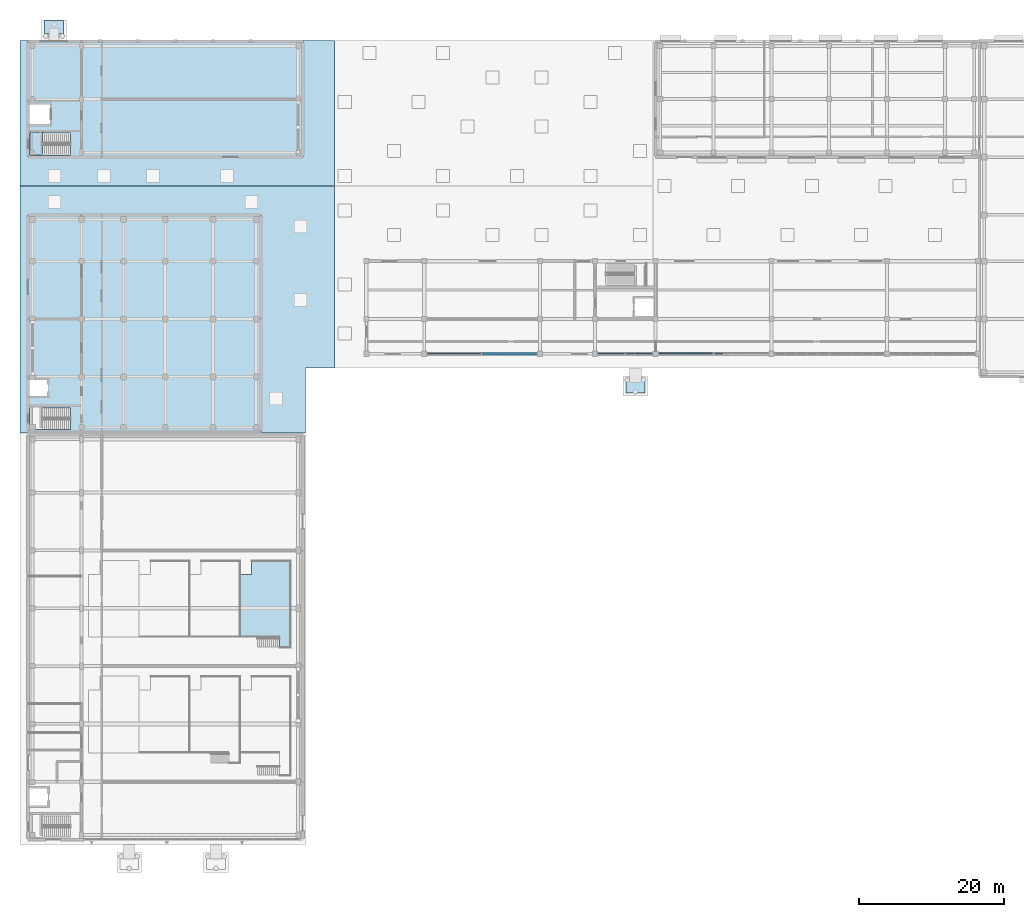
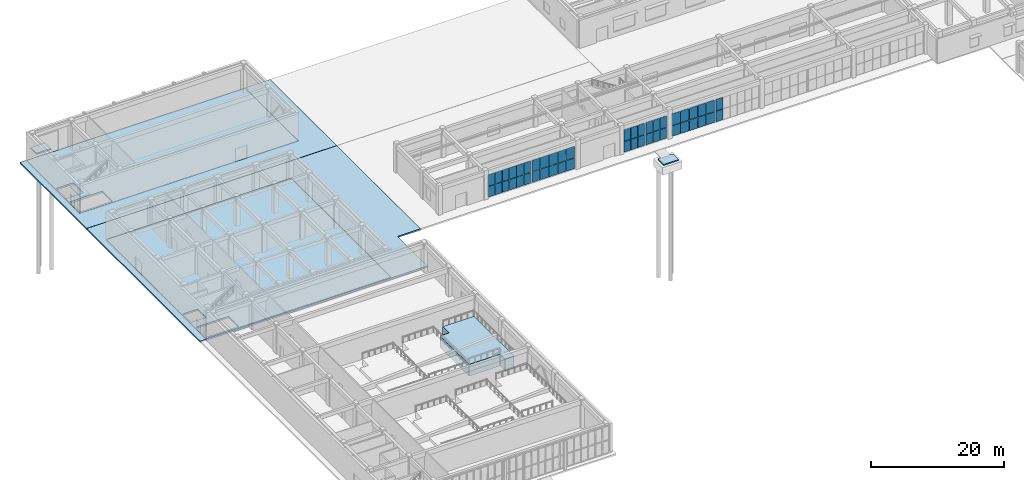
# One storey, part 23 of 46: 46 plates, 8 slabs, 7 elements without a shape of their own.
"""IFC4 building model written with IfcOpenShell, lengths in metres."""

from ifc_helpers import new_model, si_unit, direction, frame, origin, origin_2d, place, context, subcontext, project, spatial, polyline, rectangle, outline, extrude, material, layer, layer_set, type_object, element, aggregate, save


model = new_model("IFC4")

# Units and contexts
model_context = context("Model", 3, precision=1e-05, world=origin(), true_north=direction((0.0, 1.0)))
body_context = subcontext(model_context, "Body", "Model", "MODEL_VIEW")
ifc_project = project(units=[si_unit("LENGTHUNIT", "METRE"), si_unit("AREAUNIT", "SQUARE_METRE"), si_unit("VOLUMEUNIT", "CUBIC_METRE"), si_unit("PLANEANGLEUNIT", "RADIAN"), si_unit("MASSUNIT", "GRAM", prefix="KILO")], contexts=[model_context])

# Site, building, storey
site_placement = place(None, origin())
site = spatial("IfcSite", under=ifc_project, at=site_placement, CompositionType="ELEMENT")
building_placement = place(site_placement, origin())
building = spatial("IfcBuilding", under=site, at=building_placement, Name="Cinchona Park Media Centre", CompositionType="ELEMENT")
storey_placement = place(building_placement, origin())
storey = spatial("IfcBuildingStorey", under=building, at=storey_placement, Name="L00", CompositionType="ELEMENT", Elevation=0.0)

# Curtain wall, plates
ifc_material_1 = material(Name="Aluminium Curtain Wall Framing", Category="aluminium")
ifc_layer_1 = layer(ifc_material_1, 0.300048828125)
ifc_layer_set_1 = layer_set([ifc_layer_1], Name="Aluminium Curtain Wall Framing")
curtain_wall_type_1 = type_object("IfcCurtainWallType", Name="CW-CW09", PredefinedType="USERDEFINED", material=ifc_layer_set_1)
curtain_wall_1_placement = place(storey_placement, origin())
curtain_wall_1 = element("IfcCurtainWall", 1, at=curtain_wall_1_placement, inside=storey, type_object=curtain_wall_type_1, Name="Curtain Wall CW09 L00", ObjectType="UNITISED CURTAIN WALL", PredefinedType="USERDEFINED")
ifc_material_2 = material(Name="Insulated Acoustic Aluminium-Glass Spandrel Cassette", Category="aluminium")
ifc_layer_2 = layer(ifc_material_2, 0.1201171875)
ifc_layer_set_2 = layer_set([ifc_layer_2], Name="Insulated Acoustic Aluminium-Glass Spandrel Cassette")
plate_type_1 = type_object("IfcPlateType", Name="CWPANEL-PNL11", PredefinedType="CURTAIN_PANEL", material=ifc_layer_set_2)
plate_1_placement = place(storey_placement, frame((77.611328125, 74.800048828125, 0.125), z_axis=(0.0, 0.0, 1.0), x_axis=(-1.0, 0.0, 0.0)))
plate_1 = element("IfcPlate", 2, at=plate_1_placement, type_object=plate_type_1, Name="CW09 panel 1.1", PredefinedType="CURTAIN_PANEL", context=body_context, shape_type="SweptSolid", body=[
    extrude(rectangle(XDim=1.387451171875, YDim=0.1201171875, at=origin_2d()), origin(), (0.0, 0.0, 1.0), 1.922607421875),
])
plate_2_placement = place(storey_placement, frame((77.611328125, 74.800048828125, 2.12255859375), z_axis=(0.0, 0.0, 1.0), x_axis=(-1.0, 0.0, 0.0)))
plate_2 = element("IfcPlate", 3, at=plate_2_placement, type_object=plate_type_1, Name="CW09 panel 1.2", PredefinedType="CURTAIN_PANEL", context=body_context, shape_type="SweptSolid", body=[
    extrude(rectangle(XDim=1.387451171875, YDim=0.1201171875, at=origin_2d()), origin(), (0.0, 0.0, 1.0), 2.092529296875),
])
plate_3_placement = place(storey_placement, frame((76.1298828125, 74.800048828125, 0.125), z_axis=(0.0, 0.0, 1.0), x_axis=(-1.0, 0.0, 0.0)))
plate_3 = element("IfcPlate", 4, at=plate_3_placement, type_object=plate_type_1, Name="CW09 panel 2.1", PredefinedType="CURTAIN_PANEL", context=body_context, shape_type="SweptSolid", body=[
    extrude(rectangle(XDim=1.425048828125, YDim=0.1201171875, at=origin_2d()), origin(), (0.0, 0.0, 1.0), 1.922607421875),
])
plate_4_placement = place(storey_placement, frame((76.1298828125, 74.800048828125, 2.12255859375), z_axis=(0.0, 0.0, 1.0), x_axis=(-1.0, 0.0, 0.0)))
plate_4 = element("IfcPlate", 5, at=plate_4_placement, type_object=plate_type_1, Name="CW09 panel 2.2", PredefinedType="CURTAIN_PANEL", context=body_context, shape_type="SweptSolid", body=[
    extrude(rectangle(XDim=1.425048828125, YDim=0.1201171875, at=origin_2d()), origin(), (0.0, 0.0, 1.0), 2.092529296875),
])
plate_5_placement = place(storey_placement, frame((74.6298828125, 74.800048828125, 0.125), z_axis=(0.0, 0.0, 1.0), x_axis=(-1.0, 0.0, 0.0)))
plate_5 = element("IfcPlate", 6, at=plate_5_placement, type_object=plate_type_1, Name="CW09 panel 3.1", PredefinedType="CURTAIN_PANEL", context=body_context, shape_type="SweptSolid", body=[
    extrude(rectangle(XDim=1.425048828125, YDim=0.1201171875, at=origin_2d()), origin(), (0.0, 0.0, 1.0), 1.922607421875),
])
plate_6_placement = place(storey_placement, frame((74.6298828125, 74.800048828125, 2.12255859375), z_axis=(0.0, 0.0, 1.0), x_axis=(-1.0, 0.0, 0.0)))
plate_6 = element("IfcPlate", 7, at=plate_6_placement, type_object=plate_type_1, Name="CW09 panel 3.2", PredefinedType="CURTAIN_PANEL", context=body_context, shape_type="SweptSolid", body=[
    extrude(rectangle(XDim=1.425048828125, YDim=0.1201171875, at=origin_2d()), origin(), (0.0, 0.0, 1.0), 2.092529296875),
])
plate_7_placement = place(storey_placement, frame((73.1298828125, 74.800048828125, 0.125), z_axis=(0.0, 0.0, 1.0), x_axis=(-1.0, 0.0, 0.0)))
plate_7 = element("IfcPlate", 8, at=plate_7_placement, type_object=plate_type_1, Name="CW09 panel 4.1", PredefinedType="CURTAIN_PANEL", context=body_context, shape_type="SweptSolid", body=[
    extrude(rectangle(XDim=1.425048828125, YDim=0.1201171875, at=origin_2d()), origin(), (0.0, 0.0, 1.0), 1.922607421875),
])
plate_8_placement = place(storey_placement, frame((73.1298828125, 74.800048828125, 2.12255859375), z_axis=(0.0, 0.0, 1.0), x_axis=(-1.0, 0.0, 0.0)))
plate_8 = element("IfcPlate", 9, at=plate_8_placement, type_object=plate_type_1, Name="CW09 panel 4.2", PredefinedType="CURTAIN_PANEL", context=body_context, shape_type="SweptSolid", body=[
    extrude(rectangle(XDim=1.425048828125, YDim=0.1201171875, at=origin_2d()), origin(), (0.0, 0.0, 1.0), 2.092529296875),
])
plate_9_placement = place(storey_placement, frame((71.648681640625, 74.800048828125, 0.125), z_axis=(0.0, 0.0, 1.0), x_axis=(-1.0, 0.0, 0.0)))
plate_9 = element("IfcPlate", 10, at=plate_9_placement, type_object=plate_type_1, Name="CW09 panel 5.1", PredefinedType="CURTAIN_PANEL", context=body_context, shape_type="SweptSolid", body=[
    extrude(rectangle(XDim=1.387451171875, YDim=0.1201171875, at=origin_2d()), origin(), (0.0, 0.0, 1.0), 1.922607421875),
])
plate_10_placement = place(storey_placement, frame((71.648681640625, 74.800048828125, 2.12255859375), z_axis=(0.0, 0.0, 1.0), x_axis=(-1.0, 0.0, 0.0)))
plate_10 = element("IfcPlate", 11, at=plate_10_placement, type_object=plate_type_1, Name="CW09 panel 5.2", PredefinedType="CURTAIN_PANEL", context=body_context, shape_type="SweptSolid", body=[
    extrude(rectangle(XDim=1.387451171875, YDim=0.1201171875, at=origin_2d()), origin(), (0.0, 0.0, 1.0), 2.092529296875),
])
aggregate(curtain_wall_1, [plate_1, plate_2, plate_3, plate_4, plate_5, plate_6, plate_7, plate_8, plate_9, plate_10])

ifc_material_3 = material(Name="Aluminium Curtain Wall Framing", Category="aluminium")
ifc_layer_3 = layer(ifc_material_3, 0.179931640625)
ifc_layer_set_3 = layer_set([ifc_layer_3], Name="Aluminium Curtain Wall Framing")
curtain_wall_type_2 = type_object("IfcCurtainWallType", Name="CW-CW01", PredefinedType="USERDEFINED", material=ifc_layer_set_3)
curtain_wall_2_placement = place(storey_placement, origin())
curtain_wall_2 = element("IfcCurtainWall", 12, at=curtain_wall_2_placement, inside=storey, type_object=curtain_wall_type_2, Name="Curtain Wall CW01 L00", ObjectType="UNITISED CURTAIN WALL", PredefinedType="USERDEFINED")
ifc_material_4 = material(Name="Insulated Acoustic Aluminium-Glass Spandrel Cassette", Category="aluminium")
ifc_layer_4 = layer(ifc_material_4, 0.139892578125)
ifc_layer_set_4 = layer_set([ifc_layer_4], Name="Insulated Acoustic Aluminium-Glass Spandrel Cassette")
plate_type_2 = type_object("IfcPlateType", Name="CWPANEL-PNL13", PredefinedType="CURTAIN_PANEL", material=ifc_layer_set_4)
plate_11_placement = place(storey_placement, frame((70.076171875, 74.800048828125, 0.125), z_axis=(0.0, 0.0, 1.0), x_axis=(-1.0, 0.0, 0.0)))
plate_11 = element("IfcPlate", 13, at=plate_11_placement, type_object=plate_type_2, Name="CW01 panel 1.1", PredefinedType="CURTAIN_PANEL", context=body_context, shape_type="SweptSolid", body=[
    extrude(rectangle(XDim=1.137451171875, YDim=0.139892578125, at=origin_2d()), origin(), (0.0, 0.0, 1.0), 1.922607421875),
])
plate_12_placement = place(storey_placement, frame((70.076171875, 74.800048828125, 2.12255859375), z_axis=(0.0, 0.0, 1.0), x_axis=(-1.0, 0.0, 0.0)))
plate_12 = element("IfcPlate", 14, at=plate_12_placement, type_object=plate_type_2, Name="CW01 panel 1.2", PredefinedType="CURTAIN_PANEL", context=body_context, shape_type="SweptSolid", body=[
    extrude(rectangle(XDim=1.137451171875, YDim=0.139892578125, at=origin_2d()), origin(), (0.0, 0.0, 1.0), 2.092529296875),
])
plate_13_placement = place(storey_placement, frame((68.844970703125, 74.800048828125, 0.125), z_axis=(0.0, 0.0, 1.0), x_axis=(-1.0, 0.0, 0.0)))
plate_13 = element("IfcPlate", 15, at=plate_13_placement, type_object=plate_type_2, Name="CW01 panel 2.1", PredefinedType="CURTAIN_PANEL", context=body_context, shape_type="SweptSolid", body=[
    extrude(rectangle(XDim=1.175048828125, YDim=0.139892578125, at=origin_2d()), origin(), (0.0, 0.0, 1.0), 1.922607421875),
])
plate_14_placement = place(storey_placement, frame((68.844970703125, 74.800048828125, 2.12255859375), z_axis=(0.0, 0.0, 1.0), x_axis=(-1.0, 0.0, 0.0)))
plate_14 = element("IfcPlate", 16, at=plate_14_placement, type_object=plate_type_2, Name="CW01 panel 2.2", PredefinedType="CURTAIN_PANEL", context=body_context, shape_type="SweptSolid", body=[
    extrude(rectangle(XDim=1.175048828125, YDim=0.139892578125, at=origin_2d()), origin(), (0.0, 0.0, 1.0), 2.092529296875),
])
plate_15_placement = place(storey_placement, frame((67.594970703125, 74.800048828125, 0.125), z_axis=(0.0, 0.0, 1.0), x_axis=(-1.0, 0.0, 0.0)))
plate_15 = element("IfcPlate", 17, at=plate_15_placement, type_object=plate_type_2, Name="CW01 panel 3.1", PredefinedType="CURTAIN_PANEL", context=body_context, shape_type="SweptSolid", body=[
    extrude(rectangle(XDim=1.175048828125, YDim=0.139892578125, at=origin_2d()), origin(), (0.0, 0.0, 1.0), 1.922607421875),
])
plate_16_placement = place(storey_placement, frame((67.594970703125, 74.800048828125, 2.12255859375), z_axis=(0.0, 0.0, 1.0), x_axis=(-1.0, 0.0, 0.0)))
plate_16 = element("IfcPlate", 18, at=plate_16_placement, type_object=plate_type_2, Name="CW01 panel 3.2", PredefinedType="CURTAIN_PANEL", context=body_context, shape_type="SweptSolid", body=[
    extrude(rectangle(XDim=1.175048828125, YDim=0.139892578125, at=origin_2d()), origin(), (0.0, 0.0, 1.0), 2.092529296875),
])
plate_17_placement = place(storey_placement, frame((66.344970703125, 74.800048828125, 0.125), z_axis=(0.0, 0.0, 1.0), x_axis=(-1.0, 0.0, 0.0)))
plate_17 = element("IfcPlate", 19, at=plate_17_placement, type_object=plate_type_2, Name="CW01 panel 4.1", PredefinedType="CURTAIN_PANEL", context=body_context, shape_type="SweptSolid", body=[
    extrude(rectangle(XDim=1.175048828125, YDim=0.139892578125, at=origin_2d()), origin(), (0.0, 0.0, 1.0), 1.922607421875),
])
plate_18_placement = place(storey_placement, frame((66.344970703125, 74.800048828125, 2.12255859375), z_axis=(0.0, 0.0, 1.0), x_axis=(-1.0, 0.0, 0.0)))
plate_18 = element("IfcPlate", 20, at=plate_18_placement, type_object=plate_type_2, Name="CW01 panel 4.2", PredefinedType="CURTAIN_PANEL", context=body_context, shape_type="SweptSolid", body=[
    extrude(rectangle(XDim=1.175048828125, YDim=0.139892578125, at=origin_2d()), origin(), (0.0, 0.0, 1.0), 2.092529296875),
])
plate_19_placement = place(storey_placement, frame((65.094970703125, 74.800048828125, 0.125), z_axis=(0.0, 0.0, 1.0), x_axis=(-1.0, 0.0, 0.0)))
plate_19 = element("IfcPlate", 21, at=plate_19_placement, type_object=plate_type_2, Name="CW01 panel 5.1", PredefinedType="CURTAIN_PANEL", context=body_context, shape_type="SweptSolid", body=[
    extrude(rectangle(XDim=1.175048828125, YDim=0.139892578125, at=origin_2d()), origin(), (0.0, 0.0, 1.0), 1.922607421875),
])
plate_20_placement = place(storey_placement, frame((65.094970703125, 74.800048828125, 2.12255859375), z_axis=(0.0, 0.0, 1.0), x_axis=(-1.0, 0.0, 0.0)))
plate_20 = element("IfcPlate", 22, at=plate_20_placement, type_object=plate_type_2, Name="CW01 panel 5.2", PredefinedType="CURTAIN_PANEL", context=body_context, shape_type="SweptSolid", body=[
    extrude(rectangle(XDim=1.175048828125, YDim=0.139892578125, at=origin_2d()), origin(), (0.0, 0.0, 1.0), 2.092529296875),
])
plate_21_placement = place(storey_placement, frame((63.86376953125, 74.800048828125, 0.125), z_axis=(0.0, 0.0, 1.0), x_axis=(-1.0, 0.0, 0.0)))
plate_21 = element("IfcPlate", 23, at=plate_21_placement, type_object=plate_type_2, Name="CW01 panel 6.1", PredefinedType="CURTAIN_PANEL", context=body_context, shape_type="SweptSolid", body=[
    extrude(rectangle(XDim=1.137451171875, YDim=0.139892578125, at=origin_2d()), origin(), (0.0, 0.0, 1.0), 1.922607421875),
])
plate_22_placement = place(storey_placement, frame((63.86376953125, 74.800048828125, 2.12255859375), z_axis=(0.0, 0.0, 1.0), x_axis=(-1.0, 0.0, 0.0)))
plate_22 = element("IfcPlate", 24, at=plate_22_placement, type_object=plate_type_2, Name="CW01 panel 6.2", PredefinedType="CURTAIN_PANEL", context=body_context, shape_type="SweptSolid", body=[
    extrude(rectangle(XDim=1.137451171875, YDim=0.139892578125, at=origin_2d()), origin(), (0.0, 0.0, 1.0), 2.092529296875),
])
aggregate(curtain_wall_2, [plate_11, plate_12, plate_13, plate_14, plate_15, plate_16, plate_17, plate_18, plate_19, plate_20, plate_21, plate_22])

ifc_material_5 = material(Name="Aluminium Curtain Wall Framing", Category="aluminium")
ifc_layer_5 = layer(ifc_material_5, 0.195068359375)
ifc_layer_set_5 = layer_set([ifc_layer_5], Name="Aluminium Curtain Wall Framing")
curtain_wall_type_3 = type_object("IfcCurtainWallType", Name="CW-CW02", PredefinedType="USERDEFINED", material=ifc_layer_set_5)
curtain_wall_3_placement = place(storey_placement, origin())
curtain_wall_3 = element("IfcCurtainWall", 25, at=curtain_wall_3_placement, inside=storey, type_object=curtain_wall_type_3, Name="Curtain Wall CW02 L00", ObjectType="UNITISED CURTAIN WALL", PredefinedType="USERDEFINED")
ifc_material_6 = material(Name="Insulated Acoustic Aluminium-Glass Spandrel Cassette", Category="aluminium")
ifc_layer_6 = layer(ifc_material_6, 0.159912109375)
ifc_layer_set_6 = layer_set([ifc_layer_6], Name="Insulated Acoustic Aluminium-Glass Spandrel Cassette")
plate_type_3 = type_object("IfcPlateType", Name="CWPANEL-PNL15", PredefinedType="CURTAIN_PANEL", material=ifc_layer_set_6)
plate_23_placement = place(storey_placement, frame((93.745849609375, 74.800048828125, 0.1201171875), z_axis=(0.0, 0.0, 1.0), x_axis=(-1.0, 0.0, 0.0)))
plate_23 = element("IfcPlate", 26, at=plate_23_placement, type_object=plate_type_3, Name="CW02 panel 1.1", PredefinedType="CURTAIN_PANEL", context=body_context, shape_type="SweptSolid", body=[
    extrude(rectangle(XDim=1.12841796875, YDim=0.159912109375, at=origin_2d()), origin(), (0.0, 0.0, 1.0), 1.929931640625),
])
plate_24_placement = place(storey_placement, frame((93.745849609375, 74.800048828125, 2.119873046875), z_axis=(0.0, 0.0, 1.0), x_axis=(-1.0, 0.0, 0.0)))
plate_24 = element("IfcPlate", 27, at=plate_24_placement, type_object=plate_type_3, Name="CW02 panel 1.2", PredefinedType="CURTAIN_PANEL", context=body_context, shape_type="SweptSolid", body=[
    extrude(rectangle(XDim=1.12841796875, YDim=0.159912109375, at=origin_2d()), origin(), (0.0, 0.0, 1.0), 2.10009765625),
])
plate_25_placement = place(storey_placement, frame((92.530029296875, 74.800048828125, 0.1201171875), z_axis=(0.0, 0.0, 1.0), x_axis=(-1.0, 0.0, 0.0)))
plate_25 = element("IfcPlate", 28, at=plate_25_placement, type_object=plate_type_3, Name="CW02 panel 2.1", PredefinedType="CURTAIN_PANEL", context=body_context, shape_type="SweptSolid", body=[
    extrude(rectangle(XDim=1.163330078125, YDim=0.159912109375, at=origin_2d()), origin(), (0.0, 0.0, 1.0), 1.929931640625),
])
plate_26_placement = place(storey_placement, frame((92.530029296875, 74.800048828125, 2.119873046875), z_axis=(0.0, 0.0, 1.0), x_axis=(-1.0, 0.0, 0.0)))
plate_26 = element("IfcPlate", 29, at=plate_26_placement, type_object=plate_type_3, Name="CW02 panel 2.2", PredefinedType="CURTAIN_PANEL", context=body_context, shape_type="SweptSolid", body=[
    extrude(rectangle(XDim=1.163330078125, YDim=0.159912109375, at=origin_2d()), origin(), (0.0, 0.0, 1.0), 2.10009765625),
])
plate_27_placement = place(storey_placement, frame((91.314208984375, 74.800048828125, 0.1201171875), z_axis=(0.0, 0.0, 1.0), x_axis=(-1.0, 0.0, 0.0)))
plate_27 = element("IfcPlate", 30, at=plate_27_placement, type_object=plate_type_3, Name="CW02 panel 3.1", PredefinedType="CURTAIN_PANEL", context=body_context, shape_type="SweptSolid", body=[
    extrude(rectangle(XDim=1.12841796875, YDim=0.159912109375, at=origin_2d()), origin(), (0.0, 0.0, 1.0), 1.929931640625),
])
plate_28_placement = place(storey_placement, frame((91.314208984375, 74.800048828125, 2.119873046875), z_axis=(0.0, 0.0, 1.0), x_axis=(-1.0, 0.0, 0.0)))
plate_28 = element("IfcPlate", 31, at=plate_28_placement, type_object=plate_type_3, Name="CW02 panel 3.2", PredefinedType="CURTAIN_PANEL", context=body_context, shape_type="SweptSolid", body=[
    extrude(rectangle(XDim=1.12841796875, YDim=0.159912109375, at=origin_2d()), origin(), (0.0, 0.0, 1.0), 2.10009765625),
])
aggregate(curtain_wall_3, [plate_23, plate_24, plate_25, plate_26, plate_27, plate_28])

ifc_material_7 = material(Name="Aluminium Curtain Wall Framing", Category="aluminium")
ifc_layer_7 = layer(ifc_material_7, 0.2099609375)
ifc_layer_set_7 = layer_set([ifc_layer_7], Name="Aluminium Curtain Wall Framing")
curtain_wall_type_4 = type_object("IfcCurtainWallType", Name="CW-CW03", PredefinedType="USERDEFINED", material=ifc_layer_set_7)
curtain_wall_4_placement = place(storey_placement, origin())
curtain_wall_4 = element("IfcCurtainWall", 32, at=curtain_wall_4_placement, inside=storey, type_object=curtain_wall_type_4, Name="Curtain Wall CW03 L00", ObjectType="UNITISED CURTAIN WALL", PredefinedType="USERDEFINED")
ifc_material_8 = material(Name="Insulated Acoustic Aluminium-Glass Spandrel Cassette", Category="aluminium")
ifc_layer_8 = layer(ifc_material_8, 0.179931640625)
ifc_layer_set_8 = layer_set([ifc_layer_8], Name="Insulated Acoustic Aluminium-Glass Spandrel Cassette")
plate_type_4 = type_object("IfcPlateType", Name="CWPANEL-PNL17", PredefinedType="CURTAIN_PANEL", material=ifc_layer_set_8)
plate_29_placement = place(storey_placement, frame((89.8857421875, 74.800048828125, 0.1201171875), z_axis=(0.0, 0.0, 1.0), x_axis=(-1.0, 0.0, 0.0)))
plate_29 = element("IfcPlate", 33, at=plate_29_placement, type_object=plate_type_4, Name="CW03 panel 1.1", PredefinedType="CURTAIN_PANEL", context=body_context, shape_type="SweptSolid", body=[
    extrude(rectangle(XDim=1.12841796875, YDim=0.179931640625, at=origin_2d()), origin(), (0.0, 0.0, 1.0), 1.929931640625),
])
plate_30_placement = place(storey_placement, frame((89.8857421875, 74.800048828125, 2.119873046875), z_axis=(0.0, 0.0, 1.0), x_axis=(-1.0, 0.0, 0.0)))
plate_30 = element("IfcPlate", 34, at=plate_30_placement, type_object=plate_type_4, Name="CW03 panel 1.2", PredefinedType="CURTAIN_PANEL", context=body_context, shape_type="SweptSolid", body=[
    extrude(rectangle(XDim=1.12841796875, YDim=0.179931640625, at=origin_2d()), origin(), (0.0, 0.0, 1.0), 2.10009765625),
])
plate_31_placement = place(storey_placement, frame((88.669921875, 74.800048828125, 0.1201171875), z_axis=(0.0, 0.0, 1.0), x_axis=(-1.0, 0.0, 0.0)))
plate_31 = element("IfcPlate", 35, at=plate_31_placement, type_object=plate_type_4, Name="CW03 panel 2.1", PredefinedType="CURTAIN_PANEL", context=body_context, shape_type="SweptSolid", body=[
    extrude(rectangle(XDim=1.163330078125, YDim=0.179931640625, at=origin_2d()), origin(), (0.0, 0.0, 1.0), 1.929931640625),
])
plate_32_placement = place(storey_placement, frame((88.669921875, 74.800048828125, 2.119873046875), z_axis=(0.0, 0.0, 1.0), x_axis=(-1.0, 0.0, 0.0)))
plate_32 = element("IfcPlate", 36, at=plate_32_placement, type_object=plate_type_4, Name="CW03 panel 2.2", PredefinedType="CURTAIN_PANEL", context=body_context, shape_type="SweptSolid", body=[
    extrude(rectangle(XDim=1.163330078125, YDim=0.179931640625, at=origin_2d()), origin(), (0.0, 0.0, 1.0), 2.10009765625),
])
plate_33_placement = place(storey_placement, frame((87.4541015625, 74.800048828125, 0.1201171875), z_axis=(0.0, 0.0, 1.0), x_axis=(-1.0, 0.0, 0.0)))
plate_33 = element("IfcPlate", 37, at=plate_33_placement, type_object=plate_type_4, Name="CW03 panel 3.1", PredefinedType="CURTAIN_PANEL", context=body_context, shape_type="SweptSolid", body=[
    extrude(rectangle(XDim=1.12841796875, YDim=0.179931640625, at=origin_2d()), origin(), (0.0, 0.0, 1.0), 1.929931640625),
])
plate_34_placement = place(storey_placement, frame((87.4541015625, 74.800048828125, 2.119873046875), z_axis=(0.0, 0.0, 1.0), x_axis=(-1.0, 0.0, 0.0)))
plate_34 = element("IfcPlate", 38, at=plate_34_placement, type_object=plate_type_4, Name="CW03 panel 3.2", PredefinedType="CURTAIN_PANEL", context=body_context, shape_type="SweptSolid", body=[
    extrude(rectangle(XDim=1.12841796875, YDim=0.179931640625, at=origin_2d()), origin(), (0.0, 0.0, 1.0), 2.10009765625),
])
aggregate(curtain_wall_4, [plate_29, plate_30, plate_31, plate_32, plate_33, plate_34])

ifc_material_9 = material(Name="Aluminium Curtain Wall Framing", Category="aluminium")
ifc_layer_9 = layer(ifc_material_9, 0.22509765625)
ifc_layer_set_9 = layer_set([ifc_layer_9], Name="Aluminium Curtain Wall Framing")
curtain_wall_type_5 = type_object("IfcCurtainWallType", Name="CW-CW04", PredefinedType="USERDEFINED", material=ifc_layer_set_9)
curtain_wall_5_placement = place(storey_placement, origin())
curtain_wall_5 = element("IfcCurtainWall", 39, at=curtain_wall_5_placement, inside=storey, type_object=curtain_wall_type_5, Name="Curtain Wall CW04 L00", ObjectType="UNITISED CURTAIN WALL", PredefinedType="USERDEFINED")
ifc_material_10 = material(Name="Insulated Acoustic Aluminium-Glass Spandrel Cassette", Category="aluminium")
ifc_layer_10 = layer(ifc_material_10, 0.18994140625)
ifc_layer_set_10 = layer_set([ifc_layer_10], Name="Insulated Acoustic Aluminium-Glass Spandrel Cassette")
plate_type_5 = type_object("IfcPlateType", Name="CWPANEL-PNL18", PredefinedType="CURTAIN_PANEL", material=ifc_layer_set_10)
plate_35_placement = place(storey_placement, frame((103.521240234375, 74.800048828125, 0.114990234375), z_axis=(0.0, 0.0, 1.0), x_axis=(-1.0, 0.0, 0.0)))
plate_35 = element("IfcPlate", 40, at=plate_35_placement, type_object=plate_type_5, Name="CW04 panel 6.1", PredefinedType="CURTAIN_PANEL", context=body_context, shape_type="SweptSolid", body=[
    extrude(rectangle(XDim=1.152587890625, YDim=0.18994140625, at=origin_2d()), origin(), (0.0, 0.0, 1.0), 1.9375),
])
plate_36_placement = place(storey_placement, frame((103.521240234375, 74.800048828125, 2.117431640625), z_axis=(0.0, 0.0, 1.0), x_axis=(-1.0, 0.0, 0.0)))
plate_36 = element("IfcPlate", 41, at=plate_36_placement, type_object=plate_type_5, Name="CW04 panel 6.2", PredefinedType="CURTAIN_PANEL", context=body_context, shape_type="SweptSolid", body=[
    extrude(rectangle(XDim=1.152587890625, YDim=0.18994140625, at=origin_2d()), origin(), (0.0, 0.0, 1.0), 2.107421875),
])
aggregate(curtain_wall_5, [plate_35, plate_36])

ifc_material_11 = material(Name="Aluminium Curtain Wall Framing", Category="aluminium")
ifc_layer_11 = layer(ifc_material_11, 0.239990234375)
ifc_layer_set_11 = layer_set([ifc_layer_11], Name="Aluminium Curtain Wall Framing")
curtain_wall_type_6 = type_object("IfcCurtainWallType", Name="CW-CW05", PredefinedType="USERDEFINED", material=ifc_layer_set_11)
curtain_wall_6_placement = place(storey_placement, origin())
curtain_wall_6 = element("IfcCurtainWall", 42, at=curtain_wall_6_placement, inside=storey, type_object=curtain_wall_type_6, Name="Curtain Wall CW05 L00", ObjectType="UNITISED CURTAIN WALL", PredefinedType="USERDEFINED")
ifc_material_12 = material(Name="Insulated Acoustic Aluminium-Glass Spandrel Cassette", Category="aluminium")
ifc_layer_12 = layer(ifc_material_12, 0.2099609375)
ifc_layer_set_12 = layer_set([ifc_layer_12], Name="Insulated Acoustic Aluminium-Glass Spandrel Cassette")
plate_type_6 = type_object("IfcPlateType", Name="CWPANEL-PNL20", PredefinedType="CURTAIN_PANEL", material=ifc_layer_set_12)
plate_37_placement = place(storey_placement, frame((101.953857421875, 74.800048828125, 0.114990234375), z_axis=(0.0, 0.0, 1.0), x_axis=(-1.0, 0.0, 0.0)))
plate_37 = element("IfcPlate", 43, at=plate_37_placement, type_object=plate_type_6, Name="CW05 panel 1.1", PredefinedType="CURTAIN_PANEL", context=body_context, shape_type="SweptSolid", body=[
    extrude(rectangle(XDim=1.402587890625, YDim=0.2099609375, at=origin_2d()), origin(), (0.0, 0.0, 1.0), 1.9375),
])
plate_38_placement = place(storey_placement, frame((101.953857421875, 74.800048828125, 2.117431640625), z_axis=(0.0, 0.0, 1.0), x_axis=(-1.0, 0.0, 0.0)))
plate_38 = element("IfcPlate", 44, at=plate_38_placement, type_object=plate_type_6, Name="CW05 panel 1.2", PredefinedType="CURTAIN_PANEL", context=body_context, shape_type="SweptSolid", body=[
    extrude(rectangle(XDim=1.402587890625, YDim=0.2099609375, at=origin_2d()), origin(), (0.0, 0.0, 1.0), 2.107421875),
])
plate_39_placement = place(storey_placement, frame((100.469970703125, 74.800048828125, 0.114990234375), z_axis=(0.0, 0.0, 1.0), x_axis=(-1.0, 0.0, 0.0)))
plate_39 = element("IfcPlate", 45, at=plate_39_placement, type_object=plate_type_6, Name="CW05 panel 2.1", PredefinedType="CURTAIN_PANEL", context=body_context, shape_type="SweptSolid", body=[
    extrude(rectangle(XDim=1.43505859375, YDim=0.2099609375, at=origin_2d()), origin(), (0.0, 0.0, 1.0), 1.9375),
])
plate_40_placement = place(storey_placement, frame((100.469970703125, 74.800048828125, 2.117431640625), z_axis=(0.0, 0.0, 1.0), x_axis=(-1.0, 0.0, 0.0)))
plate_40 = element("IfcPlate", 46, at=plate_40_placement, type_object=plate_type_6, Name="CW05 panel 2.2", PredefinedType="CURTAIN_PANEL", context=body_context, shape_type="SweptSolid", body=[
    extrude(rectangle(XDim=1.43505859375, YDim=0.2099609375, at=origin_2d()), origin(), (0.0, 0.0, 1.0), 2.107421875),
])
plate_41_placement = place(storey_placement, frame((98.969970703125, 74.800048828125, 0.114990234375), z_axis=(0.0, 0.0, 1.0), x_axis=(-1.0, 0.0, 0.0)))
plate_41 = element("IfcPlate", 47, at=plate_41_placement, type_object=plate_type_6, Name="CW05 panel 3.1", PredefinedType="CURTAIN_PANEL", context=body_context, shape_type="SweptSolid", body=[
    extrude(rectangle(XDim=1.43505859375, YDim=0.2099609375, at=origin_2d()), origin(), (0.0, 0.0, 1.0), 1.9375),
])
plate_42_placement = place(storey_placement, frame((98.969970703125, 74.800048828125, 2.117431640625), z_axis=(0.0, 0.0, 1.0), x_axis=(-1.0, 0.0, 0.0)))
plate_42 = element("IfcPlate", 48, at=plate_42_placement, type_object=plate_type_6, Name="CW05 panel 3.2", PredefinedType="CURTAIN_PANEL", context=body_context, shape_type="SweptSolid", body=[
    extrude(rectangle(XDim=1.43505859375, YDim=0.2099609375, at=origin_2d()), origin(), (0.0, 0.0, 1.0), 2.107421875),
])
plate_43_placement = place(storey_placement, frame((97.469970703125, 74.800048828125, 0.114990234375), z_axis=(0.0, 0.0, 1.0), x_axis=(-1.0, 0.0, 0.0)))
plate_43 = element("IfcPlate", 49, at=plate_43_placement, type_object=plate_type_6, Name="CW05 panel 4.1", PredefinedType="CURTAIN_PANEL", context=body_context, shape_type="SweptSolid", body=[
    extrude(rectangle(XDim=1.43505859375, YDim=0.2099609375, at=origin_2d()), origin(), (0.0, 0.0, 1.0), 1.9375),
])
plate_44_placement = place(storey_placement, frame((97.469970703125, 74.800048828125, 2.117431640625), z_axis=(0.0, 0.0, 1.0), x_axis=(-1.0, 0.0, 0.0)))
plate_44 = element("IfcPlate", 50, at=plate_44_placement, type_object=plate_type_6, Name="CW05 panel 4.2", PredefinedType="CURTAIN_PANEL", context=body_context, shape_type="SweptSolid", body=[
    extrude(rectangle(XDim=1.43505859375, YDim=0.2099609375, at=origin_2d()), origin(), (0.0, 0.0, 1.0), 2.107421875),
])
plate_45_placement = place(storey_placement, frame((95.986328125, 74.800048828125, 0.114990234375), z_axis=(0.0, 0.0, 1.0), x_axis=(-1.0, 0.0, 0.0)))
plate_45 = element("IfcPlate", 51, at=plate_45_placement, type_object=plate_type_6, Name="CW05 panel 5.1", PredefinedType="CURTAIN_PANEL", context=body_context, shape_type="SweptSolid", body=[
    extrude(rectangle(XDim=1.402587890625, YDim=0.2099609375, at=origin_2d()), origin(), (0.0, 0.0, 1.0), 1.9375),
])
plate_46_placement = place(storey_placement, frame((95.986328125, 74.800048828125, 2.117431640625), z_axis=(0.0, 0.0, 1.0), x_axis=(-1.0, 0.0, 0.0)))
plate_46 = element("IfcPlate", 52, at=plate_46_placement, type_object=plate_type_6, Name="CW05 panel 5.2", PredefinedType="CURTAIN_PANEL", context=body_context, shape_type="SweptSolid", body=[
    extrude(rectangle(XDim=1.402587890625, YDim=0.2099609375, at=origin_2d()), origin(), (0.0, 0.0, 1.0), 2.107421875),
])
aggregate(curtain_wall_6, [plate_37, plate_38, plate_39, plate_40, plate_41, plate_42, plate_43, plate_44, plate_45, plate_46])

# Stair, slab
ifc_material_13 = material(Name="Concrete C35/45", Category="concrete")
stair_type = type_object("IfcStairType", Name="STAIR-ST4-HT54", PredefinedType="HALF_TURN_STAIR", material=ifc_material_13)
stair_placement = place(storey_placement, origin())
stair = element("IfcStair", 53, at=stair_placement, inside=storey, type_object=stair_type, Name="Exit Stair ST4 L00", PredefinedType="HALF_TURN_STAIR")
ifc_material_14 = material(Name="Concrete C35/45", Category="concrete")
ifc_layer_13 = layer(ifc_material_14, 0.205078125)
ifc_layer_set_13 = layer_set([ifc_layer_13], Name="Concrete C35/45")
slab_type_1 = type_object("IfcSlabType", Name="LANDING-LDG01", PredefinedType="LANDING", material=ifc_layer_set_13)
slab_1_placement = place(storey_placement, frame((0.0, 0.0, 2.4951171875)))
slab_1 = element("IfcSlab", 54, at=slab_1_placement, type_object=slab_type_1, Name="ST4 landing 1", PredefinedType="LANDING", context=body_context, shape_type="SweptSolid", body=[
    extrude(outline(polyline([(8.320068359375, 102.320068359375), (9.97998046875, 102.320068359375), (9.97998046875, 105.445068359375), (8.320068359375, 105.445068359375), (8.320068359375, 102.320068359375)])), origin(), (0.0, 0.0, 1.0), 0.204833984375),
])
aggregate(stair, [slab_1])

# Slabs
ifc_material_15 = material(Name="Concrete C35/45", Category="concrete")
ifc_layer_14 = layer(ifc_material_15, 0.27001953125)
ifc_layer_set_14 = layer_set([ifc_layer_14], Name="Concrete C35/45")
slab_type_2 = type_object("IfcSlabType", Name="SLAB-PLZ01-270", PredefinedType="FLOOR", material=ifc_layer_set_14)
slab_2_placement = place(storey_placement, frame((0.0, 0.0, -0.27001953125)))
element("IfcSlab", 55, at=slab_2_placement, inside=storey, type_object=slab_type_2, Name="Landscaped Park Court Plaza Deck 2", PredefinedType="FLOOR", context=body_context, shape_type="SweptSolid", body=[
    extrude(outline(polyline([(46.39990234375, 63.81005859375), (6.89990234375, 63.81005859375), (6.89990234375, 97.989990234375), (50.389892578125, 97.989990234375), (50.389892578125, 72.800048828125), (46.39990234375, 72.800048828125), (46.39990234375, 63.81005859375)]), holes=[polyline([(7.985107421875, 94.014892578125), (7.985107421875, 63.985107421875), (40.215087890625, 63.985107421875), (40.215087890625, 94.014892578125), (7.985107421875, 94.014892578125)])]), origin(), (0.0, 0.0, 1.0), 0.27001953125),
])
slab_3_placement = place(storey_placement, frame((0.0, 0.0, -0.27001953125)))
element("IfcSlab", 56, at=slab_3_placement, inside=storey, type_object=slab_type_2, Name="Landscaped Park Court Plaza Deck 3", PredefinedType="FLOOR", context=body_context, shape_type="SweptSolid", body=[
    extrude(outline(polyline([(6.89990234375, 118.10009765625), (50.389892578125, 118.10009765625), (50.389892578125, 98.010009765625), (6.89990234375, 98.010009765625), (6.89990234375, 118.10009765625)]), holes=[polyline([(7.985107421875, 118.014892578125), (7.985107421875, 101.985107421875), (46.014892578125, 101.985107421875), (46.014892578125, 118.014892578125), (7.985107421875, 118.014892578125)])]), origin(), (0.0, 0.0, 1.0), 0.27001953125),
])
ifc_material_16 = material(Name="Concrete C40/50", Category="concrete")
ifc_layer_15 = layer(ifc_material_16, 0.22509765625)
ifc_layer_set_15 = layer_set([ifc_layer_15], Name="Concrete C40/50")
slab_type_3 = type_object("IfcSlabType", Name="SLAB-RSL01-225", PredefinedType="FLOOR", material=ifc_layer_set_15)
slab_4_placement = place(storey_placement, frame((0.0, 0.0, -0.425048828125)))
element("IfcSlab", 57, at=slab_4_placement, inside=storey, type_object=slab_type_3, Name="Ramp Landing Base Slab RMP-03", PredefinedType="FLOOR", context=body_context, shape_type="SweptSolid", body=[
    extrude(outline(polyline([(90.699951171875, 69.35009765625), (93.300048828125, 69.35009765625), (93.300048828125, 71.10009765625), (90.699951171875, 71.10009765625), (90.699951171875, 69.35009765625)])), origin(), (0.0, 0.0, 1.0), 0.22509765625),
])
slab_5_placement = place(storey_placement, frame((0.0, 0.0, -0.375)))
element("IfcSlab", 58, at=slab_5_placement, inside=storey, type_object=slab_type_3, Name="Ramp Landing Base Slab RMP-06", PredefinedType="FLOOR", context=body_context, shape_type="SweptSolid", body=[
    extrude(outline(polyline([(10.300048828125, 119.02001953125), (12.89990234375, 119.02001953125), (12.89990234375, 120.85009765625), (10.300048828125, 120.85009765625), (10.300048828125, 119.02001953125)])), origin(), (0.0, 0.0, 1.0), 0.22509765625),
])
ifc_material_17 = material(Name="Concrete C35/45", Category="concrete")
ifc_layer_16 = layer(ifc_material_17, 0.324951171875)
ifc_layer_set_16 = layer_set([ifc_layer_16], Name="Concrete C35/45")
slab_type_4 = type_object("IfcSlabType", Name="SLAB-SL02-325", PredefinedType="FLOOR", material=ifc_layer_set_16)
slab_6_placement = place(storey_placement, frame((0.0, 0.0, -0.324951171875)))
element("IfcSlab", 59, at=slab_6_placement, inside=storey, type_object=slab_type_4, Name="Floor Slab V2 L00", PredefinedType="FLOOR", context=body_context, shape_type="SweptSolid", body=[
    extrude(outline(polyline([(8.0, 102.0), (46.0, 102.0), (46.0, 118.0), (8.0, 118.0), (8.0, 102.0)]), holes=[polyline([(8.300048828125, 102.300048828125), (13.864990234375, 102.300048828125), (13.864990234375, 105.300048828125), (8.300048828125, 105.300048828125), (8.300048828125, 102.300048828125)]), polyline([(8.199951171875, 106.39990234375), (11.199951171875, 106.39990234375), (11.199951171875, 109.39990234375), (8.199951171875, 109.39990234375), (8.199951171875, 106.39990234375)])]), origin(), (0.0, 0.0, 1.0), 0.324951171875),
])
ifc_material_18 = material(Name="Concrete C35/45", Category="concrete")
ifc_layer_17 = layer(ifc_material_18, 0.300048828125)
ifc_layer_set_17 = layer_set([ifc_layer_17], Name="Concrete C35/45")
slab_type_5 = type_object("IfcSlabType", Name="SLAB-SL03-300", PredefinedType="FLOOR", material=ifc_layer_set_17)
slab_7_placement = place(storey_placement, frame((0.0, 0.0, -0.300048828125)))
element("IfcSlab", 60, at=slab_7_placement, inside=storey, type_object=slab_type_5, Name="Floor Slab V4 L00", PredefinedType="FLOOR", context=body_context, shape_type="SweptSolid", body=[
    extrude(outline(polyline([(8.0, 64.0), (40.199951171875, 64.0), (40.199951171875, 94.0), (8.0, 94.0), (8.0, 64.0)]), holes=[polyline([(8.300048828125, 64.300048828125), (13.864990234375, 64.300048828125), (13.864990234375, 67.300048828125), (8.300048828125, 67.300048828125), (8.300048828125, 64.300048828125)]), polyline([(8.199951171875, 68.800048828125), (10.800048828125, 68.800048828125), (10.800048828125, 71.300048828125), (8.199951171875, 71.300048828125), (8.199951171875, 68.800048828125)])]), origin(), (0.0, 0.0, 1.0), 0.300048828125),
])
ifc_material_19 = material(Name="Concrete C35/45", Category="concrete")
ifc_layer_18 = layer(ifc_material_19, 0.2099609375)
ifc_layer_set_18 = layer_set([ifc_layer_18], Name="Concrete C35/45")
slab_type_6 = type_object("IfcSlabType", Name="SLAB-STIER01-210", PredefinedType="USERDEFINED", material=ifc_layer_set_18)
slab_8_placement = place(storey_placement, origin())
element("IfcSlab", 61, at=slab_8_placement, inside=storey, type_object=slab_type_6, Name="Stand Cinema Hall 2 Seating Tier 4", ObjectType="SEATING TIER", PredefinedType="USERDEFINED", context=body_context, shape_type="SweptSolid", body=[
    extrude(outline(polyline([(37.3701171875, 35.60009765625), (42.760009765625, 35.60009765625), (42.760009765625, 34.10009765625), (44.360107421875, 34.10009765625), (44.360107421875, 46.199951171875), (38.907958984375, 46.199951171875), (38.907958984375, 44.2919921875), (37.3701171875, 44.2919921875), (37.3701171875, 35.60009765625)])), origin(), (0.0, 0.0, 1.0), 2.159912109375),
])

save(model, "model.ifc")
